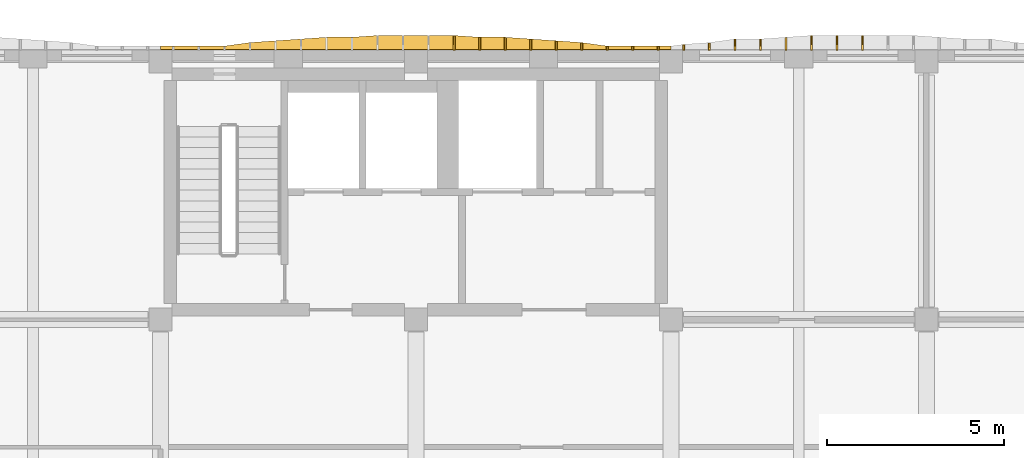
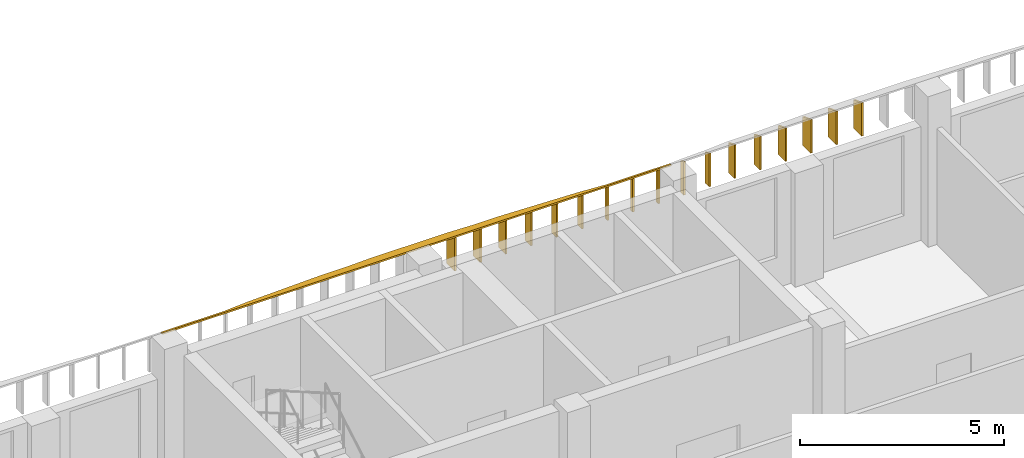
# One storey, part 49 of 58: 18 shading devices.
"""IFC4 building model written with IfcOpenShell, lengths in metres."""

import ifcopenshell
import ifcopenshell.guid

model = None  # the IFC model being written
_history = None  # IfcOwnerHistory: only IFC2X3 demands one
_inside = {}  # id of a spatial element -> (the spatial element, [elements in it])
_under = {}  # id of a project, library or spatial element -> (it, [spatial elements below it])
_declared = {}  # id of a project -> (the project, [libraries it declares])
_typed = {}  # id of a type object -> (the type object, [elements of that type])
_made_of = {}  # id of a material, layer set ... -> (it, [elements and type objects made of it])


def new_model(schema):
    """Start an empty IFC model of exactly this schema.

    Asked for "IFC4X3", IfcOpenShell would pick the latest addendum, in which some entities
    have other attributes; the version numbers below select the first issue.
    IFC2X3 requires an IfcOwnerHistory on every rooted entity: one is made here for all.
    """
    global model, _history
    if schema == "IFC4X3":
        model = ifcopenshell.file(schema_version=(4, 3, 0, 0))
    else:
        model = ifcopenshell.file(schema=schema)
    _inside.clear()
    _under.clear()
    _declared.clear()
    _typed.clear()
    _made_of.clear()
    _history = None
    if model.schema == "IFC2X3":
        org = make("IfcOrganization", Name="unknown")
        user = make(
            "IfcPersonAndOrganization",
            ThePerson=make("IfcPerson", FamilyName="unknown"),
            TheOrganization=org,
        )
        app = make(
            "IfcApplication",
            ApplicationDeveloper=org,
            Version="unknown",
            ApplicationFullName="unknown",
            ApplicationIdentifier="unknown",
        )
        _history = make(
            "IfcOwnerHistory",
            OwningUser=user,
            OwningApplication=app,
            ChangeAction="ADDED",
            CreationDate=0,
        )
    return model


def make(cls, **values):
    """One entity of the class cls with the attributes given. An attribute that is None is left unset."""
    return model.create_entity(
        cls, **{name: value for name, value in values.items() if value is not None}
    )


def rooted(cls, **values):
    """An entity with a GlobalId (a new one), such as an element, a storey or a relation."""
    return make(cls, GlobalId=ifcopenshell.guid.new(), OwnerHistory=_history, **values)


def si_unit(unit_type, name, prefix=None):
    """IfcSIUnit, for example si_unit("LENGTHUNIT", "METRE", prefix="MILLI")."""
    return make("IfcSIUnit", UnitType=unit_type, Prefix=prefix, Name=name)


def assignment(units):
    """IfcUnitAssignment: the units of a project."""
    return None if units is None else make("IfcUnitAssignment", Units=units)


def point(xyz):
    """IfcCartesianPoint."""
    return None if xyz is None else make("IfcCartesianPoint", Coordinates=xyz)


def direction(xyz):
    """IfcDirection."""
    return None if xyz is None else make("IfcDirection", DirectionRatios=xyz)


def frame(location, z_axis=None, x_axis=None):
    """IfcAxis2Placement3D, a coordinate frame: its origin and axes. An axis left out is left unset."""
    return make(
        "IfcAxis2Placement3D",
        Location=point(location),
        Axis=direction(z_axis),
        RefDirection=direction(x_axis),
    )


def origin():
    """The frame at (0, 0, 0) with its axes left unset."""
    return frame((0.0, 0.0, 0.0))


def place(relative_to, where):
    """IfcLocalPlacement: puts the frame where relative to a parent placement (None: the world)."""
    return make(
        "IfcLocalPlacement", PlacementRelTo=relative_to, RelativePlacement=where
    )


def context(
    kind, dimensions, precision=None, world=None, true_north=None, identifier=None
):
    """IfcGeometricRepresentationContext, for example the 3D "Model" context."""
    return make(
        "IfcGeometricRepresentationContext",
        ContextIdentifier=identifier,
        ContextType=kind,
        CoordinateSpaceDimension=dimensions,
        Precision=precision,
        WorldCoordinateSystem=world,
        TrueNorth=true_north,
    )


def subcontext(parent, identifier, kind, view, scale=None):
    """IfcGeometricRepresentationSubContext, for example "Body" below "Model"."""
    return make(
        "IfcGeometricRepresentationSubContext",
        ContextIdentifier=identifier,
        ContextType=kind,
        ParentContext=parent,
        TargetScale=scale,
        TargetView=view,
    )


def project(units=None, contexts=None):
    """IfcProject with its units and contexts."""
    return rooted(
        "IfcProject",
        Name="project",
        RepresentationContexts=contexts,
        UnitsInContext=assignment(units),
    )


def spatial(cls, under=None, at=None, **own):
    """A site, building, storey or space (cls), placed at a placement, below another one or the project."""
    s = rooted(cls, ObjectPlacement=at, **own)
    if under is not None:
        _under.setdefault(under.id(), (under, []))[1].append(s)
    return s


def polyline(points):
    """IfcPolyline through the points."""
    return make("IfcPolyline", Points=[point(p) for p in points])


def outline(outer, holes=None, kind="AREA"):
    """IfcArbitraryClosedProfileDef: a profile drawn as a closed curve; with holes, ...WithVoids."""
    if holes is None:
        return make("IfcArbitraryClosedProfileDef", ProfileType=kind, OuterCurve=outer)
    return make(
        "IfcArbitraryProfileDefWithVoids",
        ProfileType=kind,
        OuterCurve=outer,
        InnerCurves=holes,
    )


def extrude(swept, where, along, depth):
    """IfcExtrudedAreaSolid: the profile swept, set in the frame where, extruded along a direction by depth."""
    return make(
        "IfcExtrudedAreaSolid",
        SweptArea=swept,
        Position=where,
        ExtrudedDirection=direction(along),
        Depth=depth,
    )


def shape(context_of_items, identifier, shape_type, items):
    """IfcShapeRepresentation: the items that make up one representation, for example the "Body"."""
    return make(
        "IfcShapeRepresentation",
        ContextOfItems=context_of_items,
        RepresentationIdentifier=identifier,
        RepresentationType=shape_type,
        Items=items,
    )


def material(Name=None, Category=None):
    """IfcMaterial."""
    return make("IfcMaterial", Name=Name, Category=Category)


def layer(
    of_material, thickness, ventilated=None, Name=None, Category=None, Priority=None
):
    """IfcMaterialLayer: one layer of a wall or slab, of a material (None: an air gap)."""
    return make(
        "IfcMaterialLayer",
        Material=of_material,
        LayerThickness=thickness,
        IsVentilated=ventilated,
        Name=Name,
        Category=Category,
        Priority=Priority,
    )


def layer_set(layers, Name=None):
    """IfcMaterialLayerSet."""
    return make("IfcMaterialLayerSet", MaterialLayers=layers, LayerSetName=Name)


def made_of(thing, what):
    """Note that an element or type object is made of a material, layer set ...; save() writes the relation."""
    if what is not None:
        _made_of.setdefault(what.id(), (what, []))[1].append(thing)
    return thing


def type_object(cls, material=None, **own):
    """A type object (cls), such as IfcWallType, which elements share."""
    return made_of(rooted(cls, **own), material)


def element(
    cls,
    number,
    at=None,
    inside=None,
    cuts=None,
    type_object=None,
    material=None,
    context=None,
    identifier="Body",
    shape_type=None,
    held_by="IfcProductDefinitionShape",
    body=None,
    shapes=None,
    **own,
):
    """One element of the class cls, such as IfcWall. Its Tag is "e" and its number.

    at: its placement. inside: the storey or other place that contains it. cuts: it is an
    opening in that element (IfcRelVoidsElement). A single representation is given by context,
    identifier, shape_type and body (its items); several are given by shapes. held_by: the class
    of the entity that holds the representations. save() writes the other relations.
    """
    e = rooted(cls, Tag="e%d" % number, ObjectPlacement=at, **own)
    if body is not None:
        shapes = [shape(context, identifier, shape_type, body)]
    if shapes is not None:
        e.Representation = make(held_by, Representations=shapes)
    if inside is not None:
        _inside.setdefault(inside.id(), (inside, []))[1].append(e)
    if cuts is not None:
        rooted(
            "IfcRelVoidsElement", RelatingBuildingElement=cuts, RelatedOpeningElement=e
        )
    if type_object is not None:
        _typed.setdefault(type_object.id(), (type_object, []))[1].append(e)
    return made_of(e, material)


def aggregate(whole, parts):
    """IfcRelAggregates: a whole, such as a stair, and the parts it consists of."""
    return rooted("IfcRelAggregates", RelatingObject=whole, RelatedObjects=parts)


def save(model, path):
    """Write the relations noted so far, then the file.

    IfcRelAggregates (storeys below a building ...), IfcRelContainedInSpatialStructure (elements
    in a storey), IfcRelDefinesByType, IfcRelAssociatesMaterial and IfcRelDeclares: one each for
    every whole, place, type object, material and project.
    """
    for whole, parts in _under.values():
        aggregate(whole, parts)
    for where, things in _inside.values():
        rooted(
            "IfcRelContainedInSpatialStructure",
            RelatedElements=things,
            RelatingStructure=where,
        )
    for kind, things in _typed.values():
        rooted("IfcRelDefinesByType", RelatedObjects=things, RelatingType=kind)
    for what, things in _made_of.values():
        rooted("IfcRelAssociatesMaterial", RelatedObjects=things, RelatingMaterial=what)
    for by, libraries in _declared.values():
        rooted("IfcRelDeclares", RelatingContext=by, RelatedDefinitions=libraries)
    model.write(path)


model = new_model("IFC4")

# Units and contexts
model_context = context("Model", 3, precision=1e-05, world=origin(), true_north=direction((0.0, 1.0)))
body_context = subcontext(model_context, "Body", "Model", "MODEL_VIEW")
ifc_project = project(units=[si_unit("LENGTHUNIT", "METRE"), si_unit("AREAUNIT", "SQUARE_METRE"), si_unit("VOLUMEUNIT", "CUBIC_METRE"), si_unit("PLANEANGLEUNIT", "RADIAN"), si_unit("MASSUNIT", "GRAM", prefix="KILO")], contexts=[model_context])

# Site, building, storey
site_placement = place(None, origin())
site = spatial("IfcSite", under=ifc_project, at=site_placement, CompositionType="ELEMENT")
building_placement = place(site_placement, origin())
building = spatial("IfcBuilding", under=site, at=building_placement, Name="Ussher Court Research Institute", CompositionType="ELEMENT")
storey_placement = place(building_placement, frame((0.0, 0.0, 9.89990234375)))
storey = spatial("IfcBuildingStorey", under=building, at=storey_placement, Name="L02", CompositionType="ELEMENT", Elevation=9.89990234375)

# Shading devices
ifc_material_1 = material(Name="Bronze anodised aluminium", Category="aluminium")
ifc_layer_1 = layer(ifc_material_1, 0.050048828125)
ifc_layer_set_1 = layer_set([ifc_layer_1], Name="Bronze anodised aluminium")
shading_device_type_1 = type_object("IfcShadingDeviceType", Name="Brim blade 100 mm deep 1000 mm high canted 20 deg dry", PredefinedType="USERDEFINED", material=ifc_layer_set_1)
for number, where, z_axis, x_axis, name in (
    (1, (58.800048828125, 90.800048828125, 3.4501953125), (0.0, 0.0, 1.0), (0.0, 1.0, 0.0), "Brim blade BS17 L02"),
    (2, (59.52001953125, 90.800048828125, 3.4501953125), (0.0, 0.0, 1.0), (0.0, 1.0, 0.0), "Brim blade BS17 L02"),
    (3, (60.239990234375, 90.800048828125, 3.4501953125), (0.0, 0.0, 1.0), (0.0, 1.0, 0.0), "Brim blade BS17 L02"),
):
    element("IfcShadingDevice", number, at=place(storey_placement, frame(where, z_axis=z_axis, x_axis=x_axis)), inside=storey, type_object=shading_device_type_1, Name=name, ObjectType="BLADE", PredefinedType="USERDEFINED", context=body_context, shape_type="SweptSolid", body=[
        extrude(outline(polyline([(0.0, 0.0), (0.099853515625, 0.0), (0.10009765625, 0.963623046875), (0.0, 1.0), (0.0, 0.0)])), frame((0.0, 0.02490234375, 0.0), z_axis=(0.0, -1.0, 0.0), x_axis=(1.0, 0.0, 0.0)), (0.0, 0.0, 1.0), 0.050048828125),
    ])
ifc_material_2 = material(Name="Bronze anodised aluminium", Category="aluminium")
ifc_layer_2 = layer(ifc_material_2, 0.050048828125)
ifc_layer_set_2 = layer_set([ifc_layer_2], Name="Bronze anodised aluminium")
shading_device_type_2 = type_object("IfcShadingDeviceType", Name="Brim blade 150 mm deep 1000 mm high canted 20 deg dry", PredefinedType="USERDEFINED", material=ifc_layer_set_2)
shading_device_1_placement = place(storey_placement, frame((60.9599609375, 90.800048828125, 3.4501953125), z_axis=(0.0, 0.0, 1.0), x_axis=(0.0, 1.0, 0.0)))
element("IfcShadingDevice", 4, at=shading_device_1_placement, inside=storey, type_object=shading_device_type_2, Name="Brim blade BS16 L02", ObjectType="BLADE", PredefinedType="USERDEFINED", context=body_context, shape_type="SweptSolid", body=[
    extrude(outline(polyline([(0.0, 0.0), (0.14990234375, 0.0), (0.14990234375, 0.9453125), (0.0, 1.0), (0.0, 0.0)])), frame((0.0, 0.02490234375, 0.0), z_axis=(0.0, -1.0, 0.0), x_axis=(1.0, 0.0, 0.0)), (0.0, 0.0, 1.0), 0.050048828125),
])
ifc_material_3 = material(Name="Bronze anodised aluminium", Category="aluminium")
ifc_layer_3 = layer(ifc_material_3, 0.050048828125)
ifc_layer_set_3 = layer_set([ifc_layer_3], Name="Bronze anodised aluminium")
shading_device_type_3 = type_object("IfcShadingDeviceType", Name="Brim blade 200 mm deep 1000 mm high canted 20 deg dry", PredefinedType="USERDEFINED", material=ifc_layer_set_3)
for number, where, z_axis, x_axis, name in (
    (5, (58.080078125, 90.800048828125, 3.4501953125), (0.0, 0.0, 1.0), (0.0, 1.0, 0.0), "Brim blade BS15 L02"),
    (6, (61.679931640625, 90.800048828125, 3.4501953125), (0.0, 0.0, 1.0), (0.0, 1.0, 0.0), "Brim blade BS15 L02"),
):
    element("IfcShadingDevice", number, at=place(storey_placement, frame(where, z_axis=z_axis, x_axis=x_axis)), inside=storey, type_object=shading_device_type_3, Name=name, ObjectType="BLADE", PredefinedType="USERDEFINED", context=body_context, shape_type="SweptSolid", body=[
        extrude(outline(polyline([(0.0, 0.0), (0.199951171875, 0.0), (0.199951171875, 0.927001953125), (0.0, 1.0), (0.0, 0.0)])), frame((0.0, 0.02490234375, 0.0), z_axis=(0.0, -1.0, 0.0), x_axis=(1.0, 0.0, 0.0)), (0.0, 0.0, 1.0), 0.050048828125),
    ])
ifc_material_4 = material(Name="Bronze anodised aluminium", Category="aluminium")
ifc_layer_4 = layer(ifc_material_4, 0.050048828125)
ifc_layer_set_4 = layer_set([ifc_layer_4], Name="Bronze anodised aluminium")
shading_device_type_4 = type_object("IfcShadingDeviceType", Name="Brim blade 250 mm deep 1000 mm high canted 20 deg dry", PredefinedType="USERDEFINED", material=ifc_layer_set_4)
shading_device_2_placement = place(storey_placement, frame((57.360107421875, 90.800048828125, 3.4501953125), z_axis=(0.0, 0.0, 1.0), x_axis=(0.0, 1.0, 0.0)))
element("IfcShadingDevice", 7, at=shading_device_2_placement, inside=storey, type_object=shading_device_type_4, Name="Brim blade BS14 L02", ObjectType="BLADE", PredefinedType="USERDEFINED", context=body_context, shape_type="SweptSolid", body=[
    extrude(outline(polyline([(0.0, 0.0), (0.25, 0.0), (0.25, 0.908935546875), (0.0, 1.0), (0.0, 0.0)])), frame((0.0, 0.02490234375, 0.0), z_axis=(0.0, -1.0, 0.0), x_axis=(1.0, 0.0, 0.0)), (0.0, 0.0, 1.0), 0.050048828125),
])
ifc_material_5 = material(Name="Bronze anodised aluminium", Category="aluminium")
ifc_layer_5 = layer(ifc_material_5, 0.050048828125)
ifc_layer_set_5 = layer_set([ifc_layer_5], Name="Bronze anodised aluminium")
shading_device_type_5 = type_object("IfcShadingDeviceType", Name="Brim blade 300 mm deep 1000 mm high canted 20 deg dry", PredefinedType="USERDEFINED", material=ifc_layer_set_5)
for number, where, z_axis, x_axis, name in (
    (8, (56.639892578125, 90.800048828125, 3.4501953125), (0.0, 0.0, 1.0), (0.0, 1.0, 0.0), "Brim blade BS13 L02"),
    (9, (62.39990234375, 90.800048828125, 3.4501953125), (0.0, 0.0, 1.0), (0.0, 1.0, 0.0), "Brim blade BS13 L02"),
    (10, (63.1201171875, 90.800048828125, 3.4501953125), (0.0, 0.0, 1.0), (0.0, 1.0, 0.0), "Brim blade BS13 L02"),
):
    element("IfcShadingDevice", number, at=place(storey_placement, frame(where, z_axis=z_axis, x_axis=x_axis)), inside=storey, type_object=shading_device_type_5, Name=name, ObjectType="BLADE", PredefinedType="USERDEFINED", context=body_context, shape_type="SweptSolid", body=[
        extrude(outline(polyline([(0.0, 0.0), (0.300048828125, 0.0), (0.300048828125, 0.890625), (0.0, 1.0), (0.0, 0.0)])), frame((0.0, 0.02490234375, 0.0), z_axis=(0.0, -1.0, 0.0), x_axis=(1.0, 0.0, 0.0)), (0.0, 0.0, 1.0), 0.050048828125),
    ])
ifc_material_6 = material(Name="Bronze anodised aluminium", Category="aluminium")
ifc_layer_6 = layer(ifc_material_6, 0.050048828125)
ifc_layer_set_6 = layer_set([ifc_layer_6], Name="Bronze anodised aluminium")
shading_device_type_6 = type_object("IfcShadingDeviceType", Name="Brim blade 350 mm deep 1000 mm high canted 20 deg dry", PredefinedType="USERDEFINED", material=ifc_layer_set_6)
for number, where, z_axis, x_axis, name in (
    (11, (55.199951171875, 90.800048828125, 3.4501953125), (0.0, 0.0, 1.0), (0.0, 1.0, 0.0), "Brim blade BS12 L02"),
    (12, (55.919921875, 90.800048828125, 3.4501953125), (0.0, 0.0, 1.0), (0.0, 1.0, 0.0), "Brim blade BS12 L02"),
    (13, (63.840087890625, 90.800048828125, 3.4501953125), (0.0, 0.0, 1.0), (0.0, 1.0, 0.0), "Brim blade BS12 L02"),
):
    element("IfcShadingDevice", number, at=place(storey_placement, frame(where, z_axis=z_axis, x_axis=x_axis)), inside=storey, type_object=shading_device_type_6, Name=name, ObjectType="BLADE", PredefinedType="USERDEFINED", context=body_context, shape_type="SweptSolid", body=[
        extrude(outline(polyline([(0.0, 0.0), (0.349853515625, 0.0), (0.35009765625, 0.87255859375), (0.0, 1.0), (0.0, 0.0)])), frame((0.0, 0.02490234375, 0.0), z_axis=(0.0, -1.0, 0.0), x_axis=(1.0, 0.0, 0.0)), (0.0, 0.0, 1.0), 0.050048828125),
    ])
ifc_material_7 = material(Name="Bronze anodised aluminium", Category="aluminium")
ifc_layer_7 = layer(ifc_material_7, 0.050048828125)
ifc_layer_set_7 = layer_set([ifc_layer_7], Name="Bronze anodised aluminium")
shading_device_type_7 = type_object("IfcShadingDeviceType", Name="Brim blade 400 mm deep 1000 mm high canted 20 deg dry", PredefinedType="USERDEFINED", material=ifc_layer_set_7)
for number, where, z_axis, x_axis, name in (
    (14, (54.47998046875, 90.800048828125, 3.4501953125), (0.0, 0.0, 1.0), (0.0, 1.0, 0.0), "Brim blade BS11 L02"),
    (15, (64.56005859375, 90.800048828125, 3.4501953125), (0.0, 0.0, 1.0), (0.0, 1.0, 0.0), "Brim blade BS11 L02"),
    (16, (65.280029296875, 90.800048828125, 3.4501953125), (0.0, 0.0, 1.0), (0.0, 1.0, 0.0), "Brim blade BS11 L02"),
    (17, (66.0, 90.800048828125, 3.4501953125), (0.0, 0.0, 1.0), (0.0, 1.0, 0.0), "Brim blade BS11 L02"),
):
    element("IfcShadingDevice", number, at=place(storey_placement, frame(where, z_axis=z_axis, x_axis=x_axis)), inside=storey, type_object=shading_device_type_7, Name=name, ObjectType="BLADE", PredefinedType="USERDEFINED", context=body_context, shape_type="SweptSolid", body=[
        extrude(outline(polyline([(0.0, 0.0), (0.39990234375, 0.0), (0.39990234375, 0.854248046875), (0.0, 1.0), (0.0, 0.0)])), frame((0.0, 0.02490234375, 0.0), z_axis=(0.0, -1.0, 0.0), x_axis=(1.0, 0.0, 0.0)), (0.0, 0.0, 1.0), 0.050048828125),
    ])
ifc_material_8 = material(Name="Bronze anodised aluminium", Category="aluminium")
ifc_layer_8 = layer(ifc_material_8, 0.0400390625)
ifc_layer_set_8 = layer_set([ifc_layer_8], Name="Bronze anodised aluminium")
shading_device_type_8 = type_object("IfcShadingDeviceType", Name="Brim visor sheet 40 mm canted 20 deg dry", PredefinedType="USERDEFINED", material=ifc_layer_set_8)
shading_device_3_placement = place(storey_placement, frame((46.199951171875, 90.813720703125, 4.48779296875), z_axis=(0.0, 0.342255779972, 0.9396068226), x_axis=(1.0, 0.0, 0.0)))
element("IfcShadingDevice", 18, at=shading_device_3_placement, inside=storey, type_object=shading_device_type_8, Name="Brim visor sheet BR2 L02", ObjectType="BRIM", PredefinedType="USERDEFINED", context=body_context, shape_type="SweptSolid", body=[
    extrude(outline(polyline([(0.0, 0.0), (14.400146484375, 0.0), (14.400146484375, 0.10650266320353347), (14.0400390625, 0.10650266320353347), (13.320068359375, 0.10650266320353347), (12.60009765625, 0.10650266320353347), (11.880126953125, 0.21285948875017546), (11.16015625, 0.2660690410819261), (10.43994140625, 0.319362151953709), (9.719970703125, 0.3725717042854596), (9.0, 0.3725717042854596), (8.280029296875, 0.4256354189603187), (7.56005859375, 0.4256354189603187), (6.840087890625, 0.4256354189603187), (6.1201171875, 0.4256354189603187), (5.400146484375, 0.3725717042854596), (4.679931640625, 0.3725717042854596), (3.9599609375, 0.319362151953709), (3.239990234375, 0.2660690410819261), (2.52001953125, 0.21285948875017546), (1.800048828125, 0.10650266320353347), (1.080078125, 0.10650266320353347), (0.360107421875, 0.10650266320353347), (0.0, 0.10650266320353347), (0.0, 0.0)])), origin(), (0.0, 0.0, -1.0), 0.0400390625),
])

save(model, "model.ifc")
